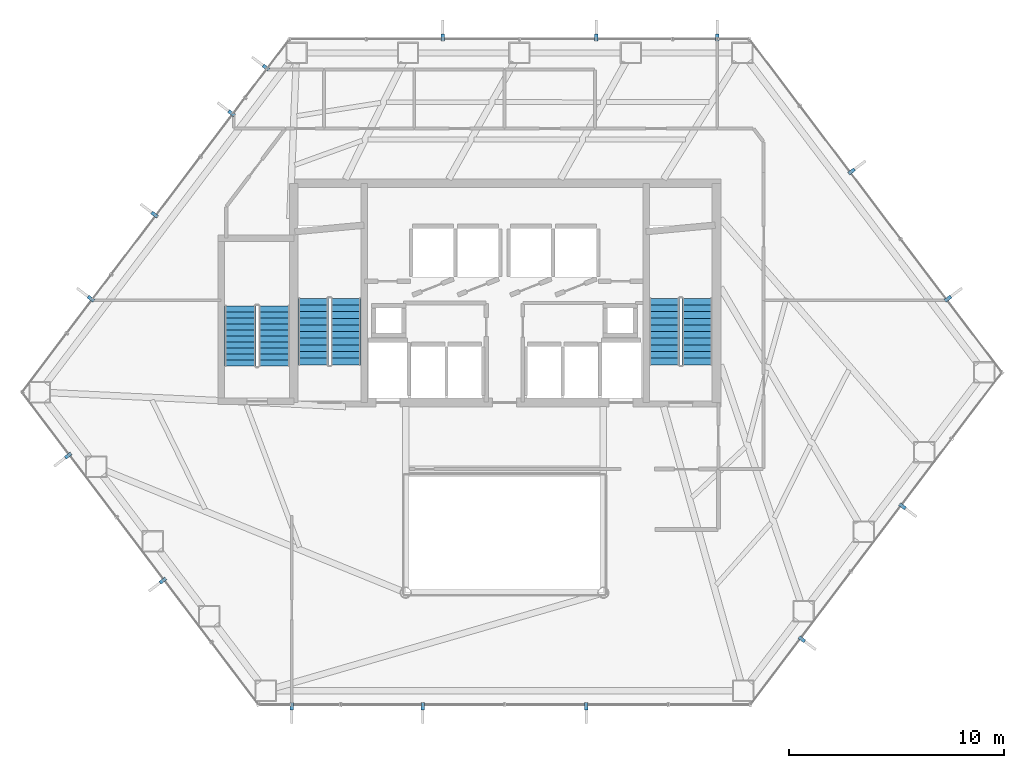
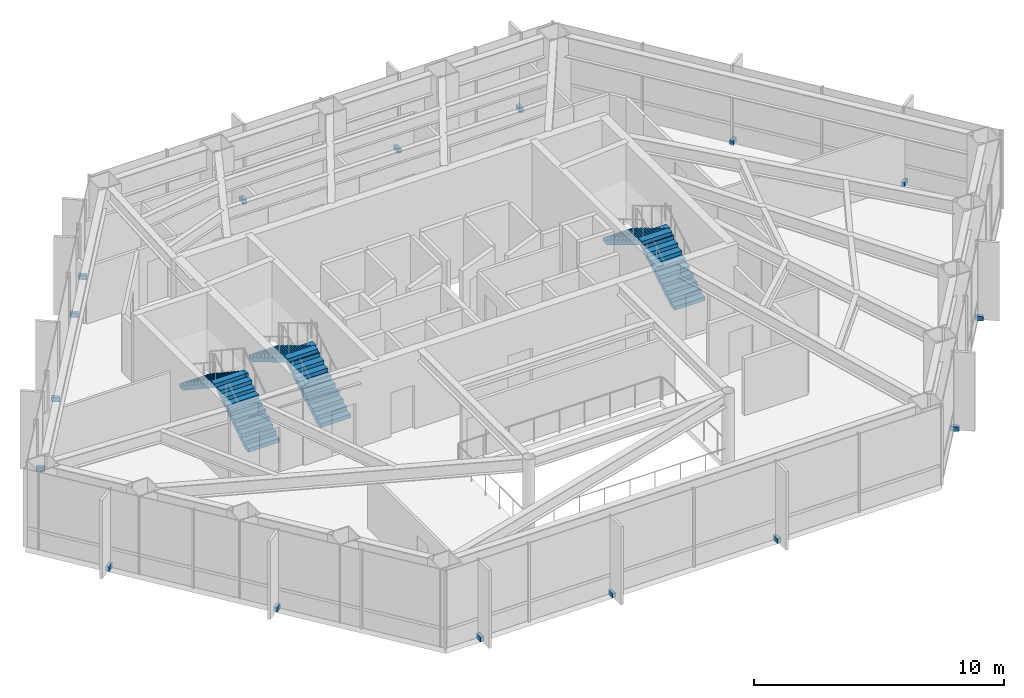
# One storey, part 25 of 26: 16 discrete accessories, 6 stair flights, 3 elements without a shape of their own.
"""IFC4 building model written with IfcOpenShell, lengths in metres."""

from ifc_helpers import new_model, si_unit, direction, frame, origin, origin_2d, place, context, subcontext, project, spatial, polyline, rectangle, outline, extrude, material, type_object, element, aggregate, save


model = new_model("IFC4")

# Units and contexts
model_context = context("Model", 3, precision=1e-05, world=origin(), true_north=direction((0.0, 1.0)))
body_context = subcontext(model_context, "Body", "Model", "MODEL_VIEW")
ifc_project = project(units=[si_unit("LENGTHUNIT", "METRE"), si_unit("AREAUNIT", "SQUARE_METRE"), si_unit("VOLUMEUNIT", "CUBIC_METRE"), si_unit("PLANEANGLEUNIT", "RADIAN"), si_unit("MASSUNIT", "GRAM", prefix="KILO")], contexts=[model_context])

# Site, building, storey
site_placement = place(None, origin())
site = spatial("IfcSite", under=ifc_project, at=site_placement, CompositionType="ELEMENT")
building_placement = place(site_placement, origin())
building = spatial("IfcBuilding", under=site, at=building_placement, Name="Zarrinselat Tower", CompositionType="ELEMENT")
storey_placement = place(building_placement, frame((0.0, 0.0, 31.6201171875)))
storey = spatial("IfcBuildingStorey", under=building, at=storey_placement, Name="L07", CompositionType="ELEMENT", Elevation=31.6201171875)

# Stair, stair flights
ifc_material_1 = material(Name="Concrete C40/50", Category="concrete")
stair_type_1 = type_object("IfcStairType", Name="STR-CORE-145", PredefinedType="HALF_TURN_STAIR", material=ifc_material_1)
stair_1_placement = place(storey_placement, origin())
stair_1 = element("IfcStair", 1, at=stair_1_placement, inside=storey, type_object=stair_type_1, Name="L07 Podium & Mid-Tower Exit Stair 3", PredefinedType="HALF_TURN_STAIR")
ifc_material_2 = material(Name="Concrete C40/50", Category="concrete")
stair_flight_type_1 = type_object("IfcStairFlightType", Name="STR-FLT-145", PredefinedType="STRAIGHT", material=ifc_material_2)
stair_flight_1_placement = place(storey_placement, frame((27.675048828125, 34.949951171875, 0.0), z_axis=(0.0, 0.0, 1.0), x_axis=(0.0, 1.0, 0.0)))
stair_flight_1 = element("IfcStairFlight", 2, at=stair_flight_1_placement, type_object=stair_flight_type_1, Name="ST-3 flight 1", NumberOfRisers=11, NumberOfTreads=10, PredefinedType="STRAIGHT", RiserHeight=0.185454545, TreadLength=0.28, context=body_context, shape_type="SweptSolid", body=[
    extrude(outline(polyline([(0.0, 0.0), (0.0, 0.185546875), (0.280029296875, 0.185546875), (0.280029296875, 0.370849609375), (0.56005859375, 0.370849609375), (0.56005859375, 0.556396484375), (0.840087890625, 0.556396484375), (0.840087890625, 0.74169921875), (1.1201171875, 0.74169921875), (1.1201171875, 0.92724609375), (1.39990234375, 0.92724609375), (1.39990234375, 1.11279296875), (1.679931640625, 1.11279296875), (1.679931640625, 1.298095703125), (1.9599609375, 1.298095703125), (1.9599609375, 1.483642578125), (2.239990234375, 1.483642578125), (2.239990234375, 1.669189453125), (2.52001953125, 1.669189453125), (2.52001953125, 1.8544921875), (2.800048828125, 1.8544921875), (2.800048828125, 2.0400390625), (2.800048828125, 1.6748046875), (0.271484375, 0.0), (0.0, 0.0)])), frame((0.0, 0.72509765625, 0.0), z_axis=(0.0, -1.0, 0.0), x_axis=(1.0, 0.0, 0.0)), (0.0, 0.0, 1.0), 1.449951171875),
])
stair_flight_2_placement = place(storey_placement, frame((26.10498046875, 37.75, 2.039794921875), z_axis=(0.0, 0.0, 1.0), x_axis=(0.0, -1.0, 0.0)))
stair_flight_2 = element("IfcStairFlight", 3, at=stair_flight_2_placement, type_object=stair_flight_type_1, Name="ST-3 flight 2", NumberOfRisers=11, NumberOfTreads=10, PredefinedType="STRAIGHT", RiserHeight=0.185454545, TreadLength=0.28, context=body_context, shape_type="SweptSolid", body=[
    extrude(outline(polyline([(0.0, 0.0), (0.0, 0.185546875), (0.280029296875, 0.185546875), (0.280029296875, 0.370849609375), (0.56005859375, 0.370849609375), (0.56005859375, 0.556396484375), (0.840087890625, 0.556396484375), (0.840087890625, 0.74169921875), (1.1201171875, 0.74169921875), (1.1201171875, 0.92724609375), (1.39990234375, 0.92724609375), (1.39990234375, 1.11279296875), (1.679931640625, 1.11279296875), (1.679931640625, 1.298095703125), (1.9599609375, 1.298095703125), (1.9599609375, 1.483642578125), (2.239990234375, 1.483642578125), (2.239990234375, 1.669189453125), (2.52001953125, 1.669189453125), (2.52001953125, 1.8544921875), (2.800048828125, 1.8544921875), (2.800048828125, 2.0400390625), (2.800048828125, 1.6748046875), (0.271484375, 0.0), (0.0, 0.0)])), frame((0.0, 0.72509765625, 0.0), z_axis=(0.0, -1.0, 0.0), x_axis=(1.0, 0.0, 0.0)), (0.0, 0.0, 1.0), 1.449951171875),
])
aggregate(stair_1, [stair_flight_1, stair_flight_2])

ifc_material_3 = material(Name="Concrete C40/50", Category="concrete")
stair_type_2 = type_object("IfcStairType", Name="STR-CORE-155", PredefinedType="HALF_TURN_STAIR", material=ifc_material_3)
stair_2_placement = place(storey_placement, origin())
stair_2 = element("IfcStair", 4, at=stair_2_placement, inside=storey, type_object=stair_type_2, Name="L07 Core Exit Stair 1", PredefinedType="HALF_TURN_STAIR")
ifc_material_4 = material(Name="Concrete C40/50", Category="concrete")
stair_flight_type_2 = type_object("IfcStairFlightType", Name="STR-FLT-155", PredefinedType="STRAIGHT", material=ifc_material_4)
stair_flight_3_placement = place(storey_placement, frame((31.02001953125, 35.0, 0.0), z_axis=(0.0, 0.0, 1.0), x_axis=(0.0, 1.0, 0.0)))
stair_flight_3 = element("IfcStairFlight", 5, at=stair_flight_3_placement, type_object=stair_flight_type_2, Name="ST-1 flight 1", NumberOfRisers=11, NumberOfTreads=10, PredefinedType="STRAIGHT", RiserHeight=0.185454545, TreadLength=0.31, context=body_context, shape_type="SweptSolid", body=[
    extrude(outline(polyline([(0.0, 0.0), (0.0, 0.185546875), (0.31005859375, 0.185546875), (0.31005859375, 0.370849609375), (0.6201171875, 0.370849609375), (0.6201171875, 0.556396484375), (0.929931640625, 0.556396484375), (0.929931640625, 0.74169921875), (1.239990234375, 0.74169921875), (1.239990234375, 0.92724609375), (1.550048828125, 0.92724609375), (1.550048828125, 1.11279296875), (1.860107421875, 1.11279296875), (1.860107421875, 1.298095703125), (2.169921875, 1.298095703125), (2.169921875, 1.483642578125), (2.47998046875, 1.483642578125), (2.47998046875, 1.669189453125), (2.7900390625, 1.669189453125), (2.7900390625, 1.8544921875), (3.10009765625, 1.8544921875), (3.10009765625, 2.0400390625), (3.10009765625, 1.679931640625), (0.2919921875, 0.0), (0.0, 0.0)])), frame((0.0, 0.699951171875, 0.0), z_axis=(0.0, -1.0, 0.0), x_axis=(1.0, 0.0, 0.0)), (0.0, 0.0, 1.0), 1.39990234375),
])
stair_flight_4_placement = place(storey_placement, frame((29.5, 38.10009765625, 2.039794921875), z_axis=(0.0, 0.0, 1.0), x_axis=(0.0, -1.0, 0.0)))
stair_flight_4 = element("IfcStairFlight", 6, at=stair_flight_4_placement, type_object=stair_flight_type_2, Name="ST-1 flight 2", NumberOfRisers=11, NumberOfTreads=10, PredefinedType="STRAIGHT", RiserHeight=0.185454545, TreadLength=0.31, context=body_context, shape_type="SweptSolid", body=[
    extrude(outline(polyline([(0.0, 0.0), (0.0, 0.185546875), (0.31005859375, 0.185546875), (0.31005859375, 0.370849609375), (0.6201171875, 0.370849609375), (0.6201171875, 0.556396484375), (0.929931640625, 0.556396484375), (0.929931640625, 0.74169921875), (1.239990234375, 0.74169921875), (1.239990234375, 0.92724609375), (1.550048828125, 0.92724609375), (1.550048828125, 1.11279296875), (1.860107421875, 1.11279296875), (1.860107421875, 1.298095703125), (2.169921875, 1.298095703125), (2.169921875, 1.483642578125), (2.47998046875, 1.483642578125), (2.47998046875, 1.669189453125), (2.7900390625, 1.669189453125), (2.7900390625, 1.8544921875), (3.10009765625, 1.8544921875), (3.10009765625, 2.0400390625), (3.10009765625, 1.679931640625), (0.2919921875, 0.0), (0.0, 0.0)])), frame((0.0, 0.699951171875, 0.0), z_axis=(0.0, -1.0, 0.0), x_axis=(1.0, 0.0, 0.0)), (0.0, 0.0, 1.0), 1.39990234375),
])
aggregate(stair_2, [stair_flight_3, stair_flight_4])

stair_3_placement = place(storey_placement, origin())
stair_3 = element("IfcStair", 7, at=stair_3_placement, inside=storey, type_object=stair_type_2, Name="L07 Core Exit Stair 2", PredefinedType="HALF_TURN_STAIR")
stair_flight_5_placement = place(storey_placement, frame((47.360107421875, 35.0, 0.0), z_axis=(0.0, 0.0, 1.0), x_axis=(0.0, 1.0, 0.0)))
stair_flight_5 = element("IfcStairFlight", 8, at=stair_flight_5_placement, type_object=stair_flight_type_2, Name="ST-2 flight 1", NumberOfRisers=11, NumberOfTreads=10, PredefinedType="STRAIGHT", RiserHeight=0.185454545, TreadLength=0.31, context=body_context, shape_type="SweptSolid", body=[
    extrude(outline(polyline([(0.0, 0.0), (0.0, 0.185546875), (0.31005859375, 0.185546875), (0.31005859375, 0.370849609375), (0.6201171875, 0.370849609375), (0.6201171875, 0.556396484375), (0.929931640625, 0.556396484375), (0.929931640625, 0.74169921875), (1.239990234375, 0.74169921875), (1.239990234375, 0.92724609375), (1.550048828125, 0.92724609375), (1.550048828125, 1.11279296875), (1.860107421875, 1.11279296875), (1.860107421875, 1.298095703125), (2.169921875, 1.298095703125), (2.169921875, 1.483642578125), (2.47998046875, 1.483642578125), (2.47998046875, 1.669189453125), (2.7900390625, 1.669189453125), (2.7900390625, 1.8544921875), (3.10009765625, 1.8544921875), (3.10009765625, 2.0400390625), (3.10009765625, 1.679931640625), (0.2919921875, 0.0), (0.0, 0.0)])), frame((0.0, 0.699951171875, 0.0), z_axis=(0.0, -1.0, 0.0), x_axis=(1.0, 0.0, 0.0)), (0.0, 0.0, 1.0), 1.39990234375),
])
stair_flight_6_placement = place(storey_placement, frame((45.840087890625, 38.10009765625, 2.039794921875), z_axis=(0.0, 0.0, 1.0), x_axis=(0.0, -1.0, 0.0)))
stair_flight_6 = element("IfcStairFlight", 9, at=stair_flight_6_placement, type_object=stair_flight_type_2, Name="ST-2 flight 2", NumberOfRisers=11, NumberOfTreads=10, PredefinedType="STRAIGHT", RiserHeight=0.185454545, TreadLength=0.31, context=body_context, shape_type="SweptSolid", body=[
    extrude(outline(polyline([(0.0, 0.0), (0.0, 0.185546875), (0.31005859375, 0.185546875), (0.31005859375, 0.370849609375), (0.6201171875, 0.370849609375), (0.6201171875, 0.556396484375), (0.929931640625, 0.556396484375), (0.929931640625, 0.74169921875), (1.239990234375, 0.74169921875), (1.239990234375, 0.92724609375), (1.550048828125, 0.92724609375), (1.550048828125, 1.11279296875), (1.860107421875, 1.11279296875), (1.860107421875, 1.298095703125), (2.169921875, 1.298095703125), (2.169921875, 1.483642578125), (2.47998046875, 1.483642578125), (2.47998046875, 1.669189453125), (2.7900390625, 1.669189453125), (2.7900390625, 1.8544921875), (3.10009765625, 1.8544921875), (3.10009765625, 2.0400390625), (3.10009765625, 1.679931640625), (0.2919921875, 0.0), (0.0, 0.0)])), frame((0.0, 0.699951171875, 0.0), z_axis=(0.0, -1.0, 0.0), x_axis=(1.0, 0.0, 0.0)), (0.0, 0.0, 1.0), 1.39990234375),
])
aggregate(stair_3, [stair_flight_5, stair_flight_6])

# Discrete accessories
ifc_material_5 = material(Name="Steel S355J2", Category="steel")
discrete_accessory_type = type_object("IfcDiscreteAccessoryType", Name="ACC-FIN-BRACKET", PredefinedType="BRACKET", material=ifc_material_5)
for number, where, z_axis, x_axis, name in (
    (10, (48.300048828125, 50.231201171875, -0.05029296875), (0.0, 0.0, 1.0), (0.0, 1.0, 0.0), "L07 Fin Fixing Bracket CW-L07-E01-01"),
    (11, (42.659423828125, 50.231201171875, -0.05029296875), (0.0, 0.0, 1.0), (0.0, 1.0, 0.0), "L07 Fin Fixing Bracket CW-L07-E01-03"),
    (12, (35.529296875, 50.231201171875, -0.05029296875), (0.0, 0.0, 1.0), (0.0, 1.0, 0.0), "L07 Fin Fixing Bracket CW-L07-E01-05"),
    (13, (27.302001953125, 48.82861328125, -0.05029296875), (0.0, 0.0, 1.0), (-0.797091369752, 0.603858715485, 0.0), "L07 Fin Fixing Bracket CW-L07-E02-01"),
    (14, (25.6962890625, 46.708984375, -0.05029296875), (0.0, 0.0, 1.0), (-0.797091369752, 0.603858715485, 0.0), "L07 Fin Fixing Bracket CW-L07-E02-03"),
    (15, (22.120361328125, 41.988525390625, -0.05029296875), (0.0, 0.0, 1.0), (-0.797091369752, 0.603858715485, 0.0), "L07 Fin Fixing Bracket CW-L07-E02-05"),
    (16, (19.158203125, 38.07861328125, -0.05029296875), (0.0, 0.0, 1.0), (-0.797091369752, 0.603858715485, 0.0), "L07 Fin Fixing Bracket CW-L07-E02-07"),
    (17, (18.10009765625, 30.781005859375, -0.05029296875), (0.0, 0.0, 1.0), (-0.797091748388, -0.603858215687, 0.0), "L07 Fin Fixing Bracket CW-L07-E03-01"),
    (18, (22.506591796875, 24.964599609375, -0.05029296875), (0.0, 0.0, 1.0), (-0.797091748388, -0.603858215687, 0.0), "L07 Fin Fixing Bracket CW-L07-E03-03"),
    (19, (28.5, 19.120361328125, -0.05029296875), (0.0, 0.0, 1.0), (0.0, -1.0, 0.0), "L07 Fin Fixing Bracket CW-L07-E04-01"),
    (20, (34.589599609375, 19.120361328125, -0.05029296875), (0.0, 0.0, 1.0), (0.0, -1.0, 0.0), "L07 Fin Fixing Bracket CW-L07-E04-03"),
    (21, (42.21044921875, 19.120361328125, -0.05029296875), (0.0, 0.0, 1.0), (0.0, -1.0, 0.0), "L07 Fin Fixing Bracket CW-L07-E04-05"),
    (22, (52.229248046875, 22.239501953125, -0.05029296875), (0.0, 0.0, 1.0), (0.797091621663, -0.603858382963, 0.0), "L07 Fin Fixing Bracket CW-L07-E05-01"),
    (23, (56.913330078125, 28.422607421875, -0.05029296875), (0.0, 0.0, 1.0), (0.797091621663, -0.603858382963, 0.0), "L07 Fin Fixing Bracket CW-L07-E05-03"),
    (24, (59.03076171875, 38.07861328125, -0.05029296875), (0.0, 0.0, 1.0), (0.797091473649, 0.603858578341, 0.0), "L07 Fin Fixing Bracket CW-L07-E06-01"),
    (25, (54.546142578125, 43.998291015625, -0.05029296875), (0.0, 0.0, 1.0), (0.797091473649, 0.603858578341, 0.0), "L07 Fin Fixing Bracket CW-L07-E06-03"),
):
    element("IfcDiscreteAccessory", number, at=place(storey_placement, frame(where, z_axis=z_axis, x_axis=x_axis)), inside=storey, type_object=discrete_accessory_type, Name=name, PredefinedType="BRACKET", context=body_context, shape_type="SweptSolid", body=[
        extrude(rectangle(XDim=0.340087890625, YDim=0.159912109375, at=origin_2d()), origin(), (0.0, 0.0, 1.0), 0.219970703125),
    ])

save(model, "model.ifc")
